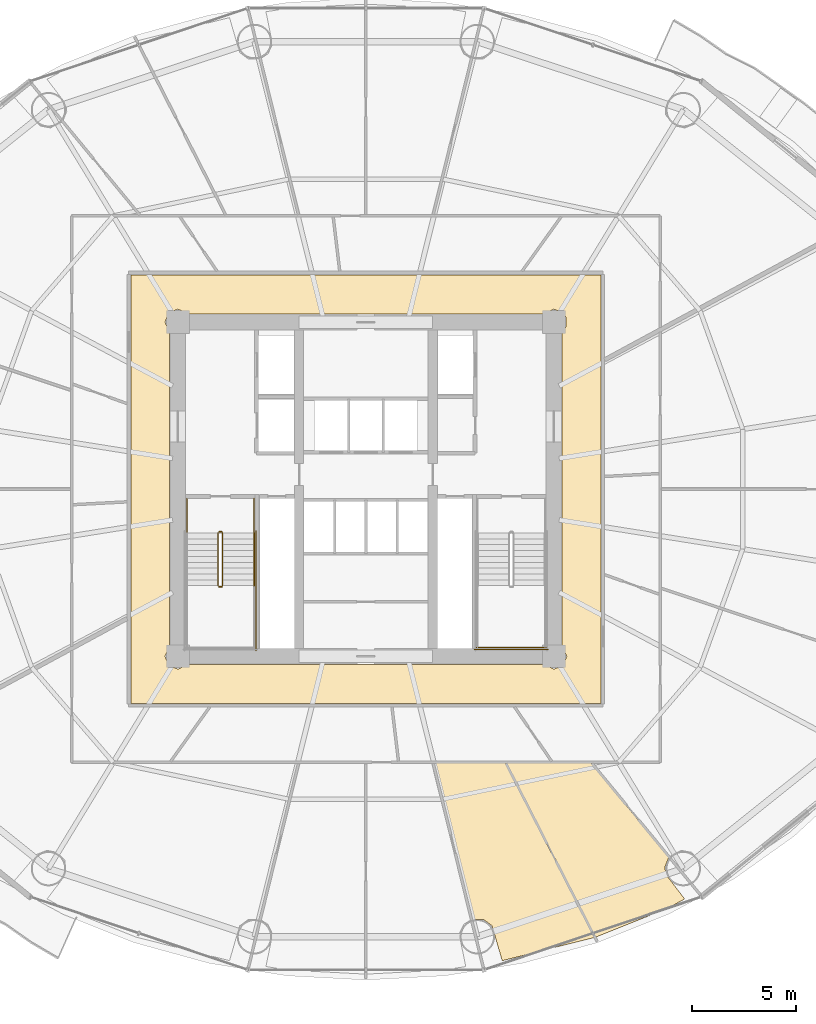
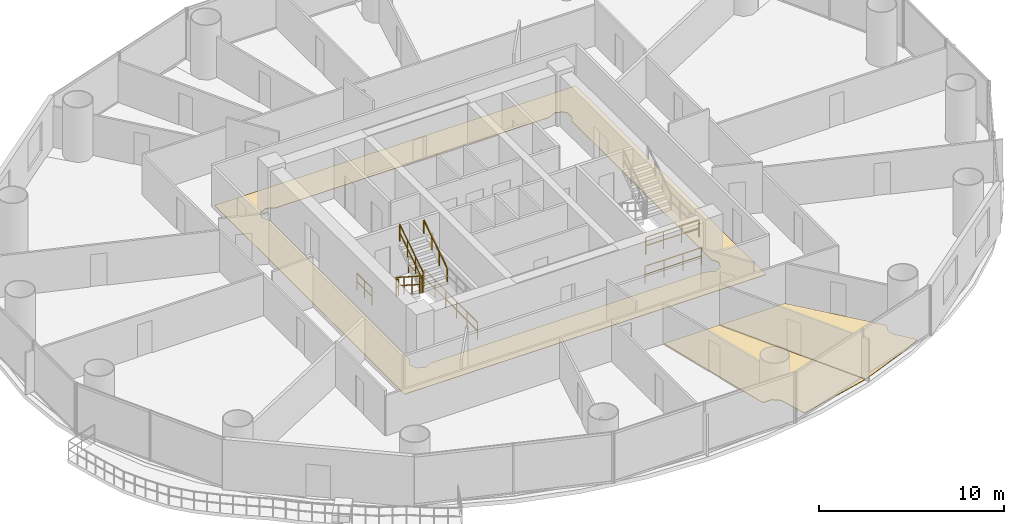
# One storey, part 28 of 30: 10 railings, 3 coverings.
"""IFC4 building model written with IfcOpenShell, lengths in metres."""

from ifc_helpers import new_model, si_unit, direction, frame, origin, origin_2d, place, context, subcontext, project, spatial, polyline, rectangle, outline, extrude, material, layer, layer_set, type_object, element, save


model = new_model("IFC4")

# Units and contexts
model_context = context("Model", 3, precision=1e-05, world=origin(), true_north=direction((-0.2419218956, 0.970295726276)))
body_context = subcontext(model_context, "Body", "Model", "MODEL_VIEW")
ifc_project = project(units=[si_unit("LENGTHUNIT", "METRE"), si_unit("AREAUNIT", "SQUARE_METRE"), si_unit("VOLUMEUNIT", "CUBIC_METRE"), si_unit("PLANEANGLEUNIT", "RADIAN"), si_unit("MASSUNIT", "GRAM", prefix="KILO")], contexts=[model_context])

# Site, building, storey
site_placement = place(None, origin())
site = spatial("IfcSite", under=ifc_project, at=site_placement, CompositionType="ELEMENT")
building_placement = place(site_placement, origin())
building = spatial("IfcBuilding", under=site, at=building_placement, Name="Cobrevalo Terracotta Tower", CompositionType="ELEMENT")
storey_placement = place(building_placement, frame((0.0, 0.0, 60.0)))
storey = spatial("IfcBuildingStorey", under=building, at=storey_placement, Name="L15", CompositionType="ELEMENT", Elevation=60.0)

# Coverings
ifc_material_1 = material(Name="Engineered Brazilian hardwood flooring", Category="wood")
ifc_layer_1 = layer(ifc_material_1, 0.028076171875)
ifc_layer_set_1 = layer_set([ifc_layer_1], Name="Engineered Brazilian hardwood flooring")
covering_type_1 = type_object("IfcCoveringType", Name="Engineered Hardwood Suite Flooring 28", PredefinedType="FLOORING", material=ifc_layer_set_1)
covering_1_placement = place(storey_placement, origin())
element("IfcCovering", 1, at=covering_1_placement, inside=storey, type_object=covering_type_1, Name="Flat L15B Principal Guest Bedroom floor finish", PredefinedType="FLOORING", context=body_context, shape_type="SweptSolid", body=[
    extrude(outline(polyline([(44.527587890625, 4.2255859375), (44.04345703125, 5.89306640625), (43.63330078125, 6.197998046875), (43.075439453125, 6.20703125), (41.237548828125, 13.695068359375), (44.67626953125, 13.695068359375), (48.948974609375, 5.336181640625), (44.527587890625, 4.2255859375)])), origin(), (0.0, 0.0, 1.0), 0.030029296875),
])
covering_2_placement = place(storey_placement, origin())
element("IfcCovering", 2, at=covering_2_placement, inside=storey, type_object=covering_type_1, Name="Flat L15B Principal Guest Bedroom floor finish", PredefinedType="FLOORING", context=body_context, shape_type="SweptSolid", body=[
    extrude(outline(polyline([(48.9873046875, 5.3486328125), (44.72119140625, 13.695068359375), (48.780029296875, 13.695068359375), (52.5048828125, 9.177490234375), (52.318115234375, 8.71044921875), (52.35498046875, 8.369140625), (53.26318359375, 7.178955078125), (52.361572265625, 6.691650390625), (48.9873046875, 5.3486328125)])), origin(), (0.0, 0.0, 1.0), 0.030029296875),
])
ifc_material_2 = material(Name="Honed terracotta and granite tile", Category="masonry")
ifc_layer_2 = layer(ifc_material_2, 0.034912109375)
ifc_layer_set_2 = layer_set([ifc_layer_2], Name="Honed terracotta and granite tile")
covering_type_2 = type_object("IfcCoveringType", Name="Honed Terracotta & Granite Interior Flooring 35", PredefinedType="FLOORING", material=ifc_layer_set_2)
covering_3_placement = place(storey_placement, origin())
element("IfcCovering", 3, at=covering_3_placement, inside=storey, type_object=covering_type_2, Name="L15 Residential Floor Corridor floor finish", PredefinedType="FLOORING", context=body_context, shape_type="SweptSolid", body=[
    extrude(outline(polyline([(49.2548828125, 37.054931640625), (49.2548828125, 16.544921875), (26.7451171875, 16.544921875), (26.7451171875, 37.054931640625), (49.2548828125, 37.054931640625)]), holes=[polyline([(47.39501953125, 34.33203125), (47.5732421875, 34.5625), (47.5732421875, 35.037353515625), (47.438720703125, 35.23876953125), (47.0, 35.42041015625), (46.5322265625, 35.195068359375), (29.4677734375, 35.195068359375), (29.0, 35.42041015625), (28.561279296875, 35.23876953125), (28.379638671875, 34.800048828125), (28.60498046875, 34.33203125), (28.60498046875, 19.267822265625), (28.379638671875, 18.800048828125), (28.561279296875, 18.361328125), (29.0, 18.1796875), (29.4677734375, 18.405029296875), (46.5322265625, 18.405029296875), (47.0, 18.1796875), (47.438720703125, 18.361328125), (47.620361328125, 18.800048828125), (47.39501953125, 19.267822265625), (47.39501953125, 34.33203125)])]), origin(), (0.0, 0.0, 1.0), 0.030029296875),
])

# Railings
ifc_material_3 = material(Name="Brushed stainless steel", Category="steel")
railing_type_1 = type_object("IfcRailingType", Name="Stainless Steel Stair Handrail 900", PredefinedType="HANDRAIL", material=ifc_material_3)
railing_1_placement = place(storey_placement, frame((32.64501953125, 22.179931640625, 1.97998046875)))
element("IfcRailing", 4, at=railing_1_placement, inside=storey, type_object=railing_type_1, Name="L15 ST-1 stair handrail 2", PredefinedType="HANDRAIL", context=body_context, shape_type="SweptSolid", body=[
    extrude(rectangle(XDim=0.048095703125, YDim=0.048095703125, at=origin_2d()), frame((0.0, 0.0, 0.8759765625), z_axis=(0.0, 0.841162588446, 0.540782303519), x_axis=(-1.0, 0.0, 0.0)), (0.0, 0.0, 1.0), 2.995849609375),
    extrude(rectangle(XDim=0.0419921875, YDim=0.0419921875, at=origin_2d()), origin(), (0.0, 0.0, 1.0), 0.851806640625),
    extrude(rectangle(XDim=0.0419921875, YDim=0.0419921875, at=origin_2d()), frame((0.0, 0.840087890625, 0.5400390625)), (0.0, 0.0, 1.0), 0.851806640625),
    extrude(rectangle(XDim=0.0419921875, YDim=0.0419921875, at=origin_2d()), frame((0.0, 1.679931640625, 1.080078125)), (0.0, 0.0, 1.0), 0.851806640625),
    extrude(rectangle(XDim=0.0419921875, YDim=0.0419921875, at=origin_2d()), frame((0.0, 2.52001953125, 1.6201171875)), (0.0, 0.0, 1.0), 0.851806640625),
])
ifc_material_4 = material(Name="Painted galvanized steel", Category="steel")
railing_type_2 = type_object("IfcRailingType", Name="Stair Well Guard Balustrade 1150", PredefinedType="GUARDRAIL", material=ifc_material_4)
railing_2_placement = place(storey_placement, frame((30.925048828125, 24.699951171875, 0.179931640625)))
element("IfcRailing", 5, at=railing_2_placement, inside=storey, type_object=railing_type_2, Name="L15 ST-1 stair guard 1", PredefinedType="GUARDRAIL", context=body_context, shape_type="SweptSolid", body=[
    extrude(rectangle(XDim=0.048095703125, YDim=0.048095703125, at=origin_2d()), frame((0.0, 0.0, 1.1259765625), z_axis=(0.0, -0.841162588446, 0.540782303519), x_axis=(1.0, 0.0, 0.0)), (0.0, 0.0, 1.0), 2.995849609375),
    extrude(rectangle(XDim=0.048095703125, YDim=0.048095703125, at=origin_2d()), frame((0.0, 0.0, 0.574951171875), z_axis=(0.0, -0.841162588446, 0.540782303519), x_axis=(1.0, 0.0, 0.0)), (0.0, 0.0, 1.0), 2.995849609375),
    extrude(rectangle(XDim=0.0419921875, YDim=0.0419921875, at=origin_2d()), origin(), (0.0, 0.0, 1.0), 1.101806640625),
    extrude(rectangle(XDim=0.0419921875, YDim=0.0419921875, at=origin_2d()), frame((0.0, -0.840087890625, 0.5400390625)), (0.0, 0.0, 1.0), 1.101806640625),
    extrude(rectangle(XDim=0.0419921875, YDim=0.0419921875, at=origin_2d()), frame((0.0, -1.679931640625, 1.080078125)), (0.0, 0.0, 1.0), 1.101806640625),
    extrude(rectangle(XDim=0.0419921875, YDim=0.0419921875, at=origin_2d()), frame((0.0, -2.52001953125, 1.6201171875)), (0.0, 0.0, 1.0), 1.101806640625),
])
railing_3_placement = place(storey_placement, frame((30.97509765625, 22.1298828125, 1.800048828125)))
element("IfcRailing", 6, at=railing_3_placement, inside=storey, type_object=railing_type_2, Name="L15 ST-1 stair guard 2", PredefinedType="GUARDRAIL", context=body_context, shape_type="SweptSolid", body=[
    extrude(rectangle(XDim=0.048095703125, YDim=0.048095703125, at=origin_2d()), frame((0.0, 0.0, 1.1259765625), z_axis=(1.0, 0.0, 0.0), x_axis=(0.0, 1.0, 0.0)), (0.0, 0.0, 1.0), 0.119873046875),
    extrude(rectangle(XDim=0.048095703125, YDim=0.048095703125, at=origin_2d()), frame((0.0, 0.0, 0.574951171875), z_axis=(1.0, 0.0, 0.0), x_axis=(0.0, 1.0, 0.0)), (0.0, 0.0, 1.0), 0.119873046875),
    extrude(rectangle(XDim=0.0419921875, YDim=0.0419921875, at=origin_2d()), origin(), (0.0, 0.0, 1.0), 1.101806640625),
    extrude(rectangle(XDim=0.0419921875, YDim=0.0419921875, at=origin_2d()), frame((0.119873046875, 0.0, 0.0)), (0.0, 0.0, 1.0), 1.101806640625),
])
railing_4_placement = place(storey_placement, frame((31.14501953125, 22.179931640625, 1.97998046875)))
element("IfcRailing", 7, at=railing_4_placement, inside=storey, type_object=railing_type_2, Name="L15 ST-1 stair guard 6", PredefinedType="GUARDRAIL", context=body_context, shape_type="SweptSolid", body=[
    extrude(rectangle(XDim=0.048095703125, YDim=0.048095703125, at=origin_2d()), frame((0.0, 0.0, 1.1259765625), z_axis=(0.0, 0.841162588446, 0.540782303519), x_axis=(-1.0, 0.0, 0.0)), (0.0, 0.0, 1.0), 2.995849609375),
    extrude(rectangle(XDim=0.048095703125, YDim=0.048095703125, at=origin_2d()), frame((0.0, 0.0, 0.574951171875), z_axis=(0.0, 0.841162588446, 0.540782303519), x_axis=(-1.0, 0.0, 0.0)), (0.0, 0.0, 1.0), 2.995849609375),
    extrude(rectangle(XDim=0.0419921875, YDim=0.0419921875, at=origin_2d()), origin(), (0.0, 0.0, 1.0), 1.101806640625),
    extrude(rectangle(XDim=0.0419921875, YDim=0.0419921875, at=origin_2d()), frame((0.0, 0.840087890625, 0.5400390625)), (0.0, 0.0, 1.0), 1.101806640625),
    extrude(rectangle(XDim=0.0419921875, YDim=0.0419921875, at=origin_2d()), frame((0.0, 1.679931640625, 1.080078125)), (0.0, 0.0, 1.0), 1.101806640625),
    extrude(rectangle(XDim=0.0419921875, YDim=0.0419921875, at=origin_2d()), frame((0.0, 2.52001953125, 1.6201171875)), (0.0, 0.0, 1.0), 1.101806640625),
])
railing_5_placement = place(storey_placement, frame((30.97509765625, 24.75, 0.0)))
element("IfcRailing", 8, at=railing_5_placement, inside=storey, type_object=railing_type_2, Name="L15 ST-1 stair guard 7", PredefinedType="GUARDRAIL", context=body_context, shape_type="SweptSolid", body=[
    extrude(rectangle(XDim=0.048095703125, YDim=0.048095703125, at=origin_2d()), frame((0.0, 0.0, 1.1259765625), z_axis=(1.0, 0.0, 0.0), x_axis=(0.0, 1.0, 0.0)), (0.0, 0.0, 1.0), 0.119873046875),
    extrude(rectangle(XDim=0.048095703125, YDim=0.048095703125, at=origin_2d()), frame((0.0, 0.0, 0.574951171875), z_axis=(1.0, 0.0, 0.0), x_axis=(0.0, 1.0, 0.0)), (0.0, 0.0, 1.0), 0.119873046875),
    extrude(rectangle(XDim=0.0419921875, YDim=0.0419921875, at=origin_2d()), origin(), (0.0, 0.0, 1.0), 1.101806640625),
    extrude(rectangle(XDim=0.0419921875, YDim=0.0419921875, at=origin_2d()), frame((0.119873046875, 0.0, 0.0)), (0.0, 0.0, 1.0), 1.101806640625),
])
for number, where, name in (
    (9, (29.425048828125, 26.35009765625, 0.0), "L15 ST-1 stair guard 8"),
    (10, (32.64501953125, 26.35009765625, 0.0), "L15 ST-1 stair guard 9"),
):
    element("IfcRailing", number, at=place(storey_placement, frame(where)), inside=storey, type_object=railing_type_2, Name=name, PredefinedType="GUARDRAIL", context=body_context, shape_type="SweptSolid", body=[
        extrude(rectangle(XDim=0.048095703125, YDim=0.048095703125, at=origin_2d()), frame((0.0, 0.0, 1.1259765625), z_axis=(0.0, -1.0, 0.0), x_axis=(1.0, 0.0, 0.0)), (0.0, 0.0, 1.0), 1.650146484375),
        extrude(rectangle(XDim=0.048095703125, YDim=0.048095703125, at=origin_2d()), frame((0.0, 0.0, 0.574951171875), z_axis=(0.0, -1.0, 0.0), x_axis=(1.0, 0.0, 0.0)), (0.0, 0.0, 1.0), 1.650146484375),
        extrude(rectangle(XDim=0.0419921875, YDim=0.0419921875, at=origin_2d()), origin(), (0.0, 0.0, 1.0), 1.101806640625),
        extrude(rectangle(XDim=0.0419921875, YDim=0.0419921875, at=origin_2d()), frame((0.0, -0.8251953125, 0.0)), (0.0, 0.0, 1.0), 1.101806640625),
        extrude(rectangle(XDim=0.0419921875, YDim=0.0419921875, at=origin_2d()), frame((0.0, -1.650146484375, 0.0)), (0.0, 0.0, 1.0), 1.101806640625),
    ])
railing_6_placement = place(storey_placement, frame((32.7451171875, 24.800048828125, 0.0)))
element("IfcRailing", 11, at=railing_6_placement, inside=storey, type_object=railing_type_2, Name="L15 ST-1 stair guard 11", PredefinedType="GUARDRAIL", context=body_context, shape_type="SweptSolid", body=[
    extrude(rectangle(XDim=0.048095703125, YDim=0.048095703125, at=origin_2d()), frame((0.0, 0.0, 1.1259765625), z_axis=(0.0, -1.0, 0.0), x_axis=(1.0, 0.0, 0.0)), (0.0, 0.0, 1.0), 5.72509765625),
    extrude(rectangle(XDim=0.048095703125, YDim=0.048095703125, at=origin_2d()), frame((0.0, 0.0, 0.574951171875), z_axis=(0.0, -1.0, 0.0), x_axis=(1.0, 0.0, 0.0)), (0.0, 0.0, 1.0), 5.72509765625),
    extrude(rectangle(XDim=0.0419921875, YDim=0.0419921875, at=origin_2d()), origin(), (0.0, 0.0, 1.0), 1.101806640625),
    extrude(rectangle(XDim=0.0419921875, YDim=0.0419921875, at=origin_2d()), frame((0.0, -1.14501953125, 0.0)), (0.0, 0.0, 1.0), 1.101806640625),
    extrude(rectangle(XDim=0.0419921875, YDim=0.0419921875, at=origin_2d()), frame((0.0, -2.2900390625, 0.0)), (0.0, 0.0, 1.0), 1.101806640625),
    extrude(rectangle(XDim=0.0419921875, YDim=0.0419921875, at=origin_2d()), frame((0.0, -3.43505859375, 0.0)), (0.0, 0.0, 1.0), 1.101806640625),
    extrude(rectangle(XDim=0.0419921875, YDim=0.0419921875, at=origin_2d()), frame((0.0, -4.580078125, 0.0)), (0.0, 0.0, 1.0), 1.101806640625),
    extrude(rectangle(XDim=0.0419921875, YDim=0.0419921875, at=origin_2d()), frame((0.0, -5.72509765625, 0.0)), (0.0, 0.0, 1.0), 1.101806640625),
])
railing_7_placement = place(storey_placement, frame((43.304931640625, 19.22509765625, 1.800048828125)))
element("IfcRailing", 12, at=railing_7_placement, inside=storey, type_object=railing_type_2, Name="L15 ST-2 stair guard 5", PredefinedType="GUARDRAIL", context=body_context, shape_type="SweptSolid", body=[
    extrude(rectangle(XDim=0.048095703125, YDim=0.048095703125, at=origin_2d()), frame((0.0, 0.0, 1.1259765625), z_axis=(1.0, 0.0, 0.0), x_axis=(0.0, 1.0, 0.0)), (0.0, 0.0, 1.0), 3.320068359375),
    extrude(rectangle(XDim=0.048095703125, YDim=0.048095703125, at=origin_2d()), frame((0.0, 0.0, 0.574951171875), z_axis=(1.0, 0.0, 0.0), x_axis=(0.0, 1.0, 0.0)), (0.0, 0.0, 1.0), 3.320068359375),
    extrude(rectangle(XDim=0.0419921875, YDim=0.0419921875, at=origin_2d()), origin(), (0.0, 0.0, 1.0), 1.101806640625),
    extrude(rectangle(XDim=0.0419921875, YDim=0.0419921875, at=origin_2d()), frame((1.106689453125, 0.0, 0.0)), (0.0, 0.0, 1.0), 1.101806640625),
    extrude(rectangle(XDim=0.0419921875, YDim=0.0419921875, at=origin_2d()), frame((2.21337890625, 0.0, 0.0)), (0.0, 0.0, 1.0), 1.101806640625),
    extrude(rectangle(XDim=0.0419921875, YDim=0.0419921875, at=origin_2d()), frame((3.320068359375, 0.0, 0.0)), (0.0, 0.0, 1.0), 1.101806640625),
])
railing_8_placement = place(storey_placement, frame((43.205078125, 19.125, 0.0)))
element("IfcRailing", 13, at=railing_8_placement, inside=storey, type_object=railing_type_2, Name="L15 ST-2 stair guard 12", PredefinedType="GUARDRAIL", context=body_context, shape_type="SweptSolid", body=[
    extrude(rectangle(XDim=0.048095703125, YDim=0.048095703125, at=origin_2d()), frame((0.0, 0.0, 1.1259765625), z_axis=(1.0, 0.0, 0.0), x_axis=(0.0, 1.0, 0.0)), (0.0, 0.0, 1.0), 3.52001953125),
    extrude(rectangle(XDim=0.048095703125, YDim=0.048095703125, at=origin_2d()), frame((0.0, 0.0, 0.574951171875), z_axis=(1.0, 0.0, 0.0), x_axis=(0.0, 1.0, 0.0)), (0.0, 0.0, 1.0), 3.52001953125),
    extrude(rectangle(XDim=0.0419921875, YDim=0.0419921875, at=origin_2d()), origin(), (0.0, 0.0, 1.0), 1.101806640625),
    extrude(rectangle(XDim=0.0419921875, YDim=0.0419921875, at=origin_2d()), frame((1.17333984375, 0.0, 0.0)), (0.0, 0.0, 1.0), 1.101806640625),
    extrude(rectangle(XDim=0.0419921875, YDim=0.0419921875, at=origin_2d()), frame((2.3466796875, 0.0, 0.0)), (0.0, 0.0, 1.0), 1.101806640625),
    extrude(rectangle(XDim=0.0419921875, YDim=0.0419921875, at=origin_2d()), frame((3.52001953125, 0.0, 0.0)), (0.0, 0.0, 1.0), 1.101806640625),
])

save(model, "model.ifc")
